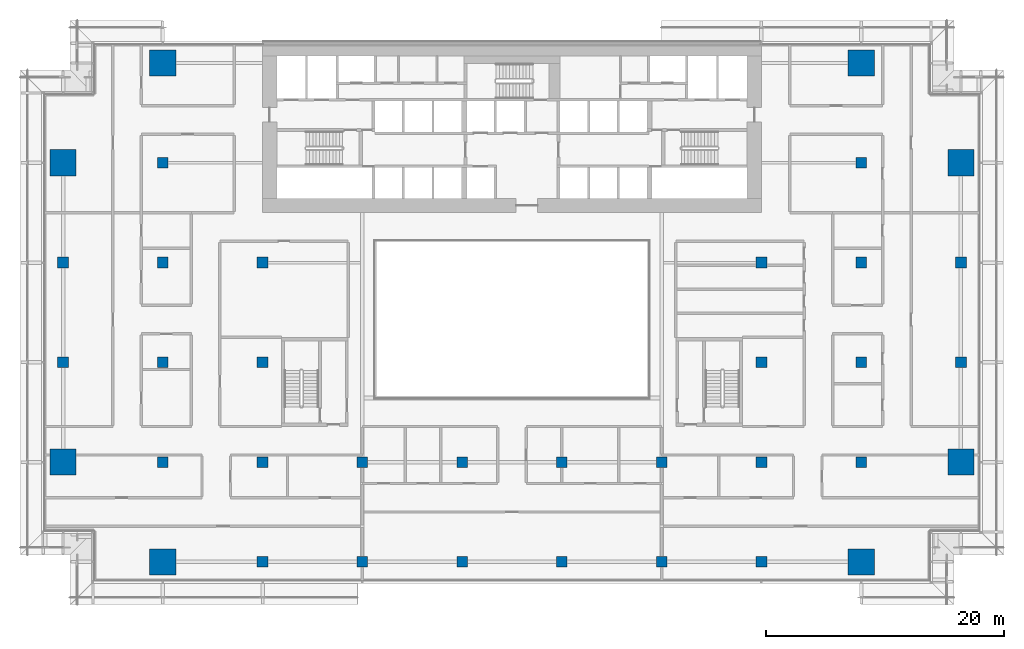
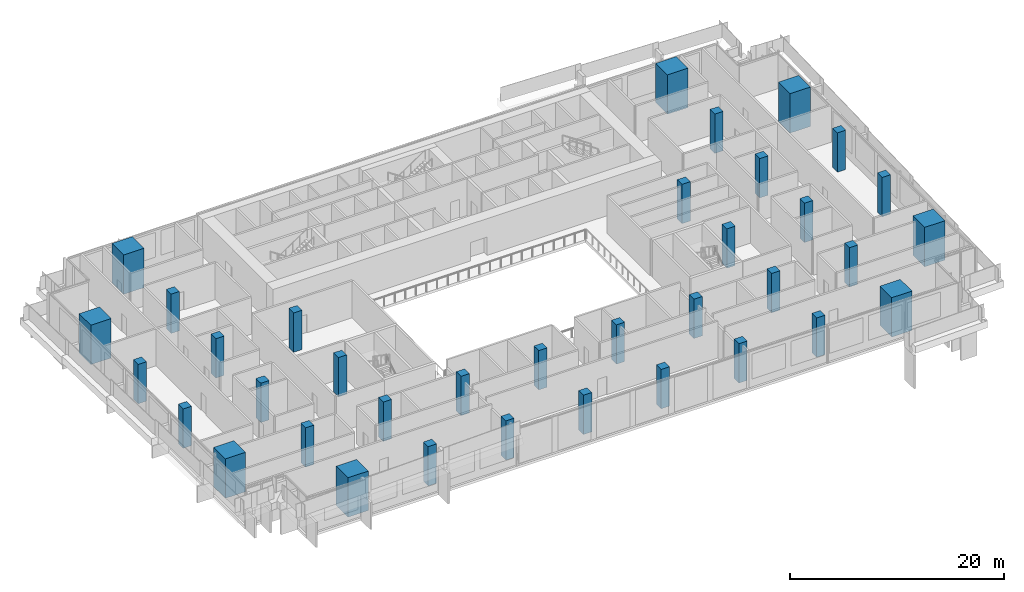
# One storey, part 1 of 23: 36 columns.
"""IFC4 building model written with IfcOpenShell, lengths in metres."""

from ifc_helpers import new_model, si_unit, direction, frame, origin, origin_2d, place, context, subcontext, project, spatial, rectangle, extrude, material, material_profile, profile_set, type_object, element, save


model = new_model("IFC4")

# Units and contexts
model_context = context("Model", 3, precision=1e-05, world=origin(), true_north=direction((0.0, 1.0)))
body_context = subcontext(model_context, "Body", "Model", "MODEL_VIEW")
ifc_project = project(units=[si_unit("LENGTHUNIT", "METRE"), si_unit("AREAUNIT", "SQUARE_METRE"), si_unit("VOLUMEUNIT", "CUBIC_METRE"), si_unit("PLANEANGLEUNIT", "RADIAN"), si_unit("MASSUNIT", "GRAM", prefix="KILO")], contexts=[model_context])

# Site, building, storey
site_placement = place(None, origin())
site = spatial("IfcSite", under=ifc_project, at=site_placement, CompositionType="ELEMENT")
building_placement = place(site_placement, origin())
building = spatial("IfcBuilding", under=site, at=building_placement, Name="Saffron Gate Tower", CompositionType="ELEMENT")
storey_placement = place(building_placement, frame((0.0, 0.0, 23.699951171875)))
storey = spatial("IfcBuildingStorey", under=building, at=storey_placement, Name="L04", CompositionType="ELEMENT", Elevation=23.699951171875)

# Columns
ifc_material_1 = material(Name="Concrete C60", Category="concrete")
ifc_material_profile_1 = material_profile(ifc_material_1, rectangle(XDim=0.89990234375, YDim=0.89990234375, at=origin_2d()))
ifc_profile_set_1 = profile_set([ifc_material_profile_1], Name="Concrete C60")
column_type_1 = type_object("IfcColumnType", Name="C6 RC 900x900 CONCRETE C60", PredefinedType="COLUMN", material=ifc_profile_set_1)
for number, where, z_axis, x_axis, name in (
    (1, (49.800048828125, 48.60009765625, 0.0), (0.0, 0.0, 1.0), (1.0, 0.0, 0.0), "C6 COLUMN X1-C"),
    (2, (49.800048828125, 57.0, 0.0), (0.0, 0.0, 1.0), (1.0, 0.0, 0.0), "C6 COLUMN X1-D"),
    (3, (58.199951171875, 40.199951171875, 0.0), (0.0, 0.0, 1.0), (1.0, 0.0, 0.0), "C6 COLUMN X2-B"),
    (4, (58.199951171875, 48.60009765625, 0.0), (0.0, 0.0, 1.0), (1.0, 0.0, 0.0), "C6 COLUMN X2-C"),
    (5, (58.199951171875, 57.0, 0.0), (0.0, 0.0, 1.0), (1.0, 0.0, 0.0), "C6 COLUMN X2-D"),
    (6, (58.199951171875, 65.39990234375, 0.0), (0.0, 0.0, 1.0), (1.0, 0.0, 0.0), "C6 COLUMN X2-E"),
    (7, (66.60009765625, 31.800048828125, 0.0), (0.0, 0.0, 1.0), (1.0, 0.0, 0.0), "C6 COLUMN X3-A"),
    (8, (66.60009765625, 40.199951171875, 0.0), (0.0, 0.0, 1.0), (1.0, 0.0, 0.0), "C6 COLUMN X3-B"),
    (9, (66.60009765625, 48.60009765625, 0.0), (0.0, 0.0, 1.0), (1.0, 0.0, 0.0), "C6 COLUMN X3-C"),
    (10, (66.60009765625, 57.0, 0.0), (0.0, 0.0, 1.0), (1.0, 0.0, 0.0), "C6 COLUMN X3-D"),
    (11, (75.0, 31.800048828125, 0.0), (0.0, 0.0, 1.0), (1.0, 0.0, 0.0), "C6 COLUMN X4-A"),
    (12, (75.0, 40.199951171875, 0.0), (0.0, 0.0, 1.0), (1.0, 0.0, 0.0), "C6 COLUMN X4-B"),
    (13, (83.39990234375, 31.800048828125, 0.0), (0.0, 0.0, 1.0), (1.0, 0.0, 0.0), "C6 COLUMN X5-A"),
    (14, (83.39990234375, 40.199951171875, 0.0), (0.0, 0.0, 1.0), (1.0, 0.0, 0.0), "C6 COLUMN X5-B"),
    (15, (91.800048828125, 31.800048828125, 0.0), (0.0, 0.0, 1.0), (1.0, 0.0, 0.0), "C6 COLUMN X6-A"),
    (16, (91.800048828125, 40.199951171875, 0.0), (0.0, 0.0, 1.0), (1.0, 0.0, 0.0), "C6 COLUMN X6-B"),
    (17, (100.199951171875, 31.800048828125, 0.0), (0.0, 0.0, 1.0), (1.0, 0.0, 0.0), "C6 COLUMN X7-A"),
    (18, (100.199951171875, 40.199951171875, 0.0), (0.0, 0.0, 1.0), (1.0, 0.0, 0.0), "C6 COLUMN X7-B"),
    (19, (108.60009765625, 31.800048828125, 0.0), (0.0, 0.0, 1.0), (1.0, 0.0, 0.0), "C6 COLUMN X8-A"),
    (20, (108.60009765625, 40.199951171875, 0.0), (0.0, 0.0, 1.0), (1.0, 0.0, 0.0), "C6 COLUMN X8-B"),
    (21, (108.60009765625, 48.60009765625, 0.0), (0.0, 0.0, 1.0), (1.0, 0.0, 0.0), "C6 COLUMN X8-C"),
    (22, (108.60009765625, 57.0, 0.0), (0.0, 0.0, 1.0), (1.0, 0.0, 0.0), "C6 COLUMN X8-D"),
    (23, (117.0, 40.199951171875, 0.0), (0.0, 0.0, 1.0), (1.0, 0.0, 0.0), "C6 COLUMN X9-B"),
    (24, (117.0, 48.60009765625, 0.0), (0.0, 0.0, 1.0), (1.0, 0.0, 0.0), "C6 COLUMN X9-C"),
    (25, (117.0, 57.0, 0.0), (0.0, 0.0, 1.0), (1.0, 0.0, 0.0), "C6 COLUMN X9-D"),
    (26, (117.0, 65.39990234375, 0.0), (0.0, 0.0, 1.0), (1.0, 0.0, 0.0), "C6 COLUMN X9-E"),
    (27, (125.39990234375, 48.60009765625, 0.0), (0.0, 0.0, 1.0), (1.0, 0.0, 0.0), "C6 COLUMN X10-C"),
    (28, (125.39990234375, 57.0, 0.0), (0.0, 0.0, 1.0), (1.0, 0.0, 0.0), "C6 COLUMN X10-D"),
):
    element("IfcColumn", number, at=place(storey_placement, frame(where, z_axis=z_axis, x_axis=x_axis)), inside=storey, type_object=column_type_1, Name=name, PredefinedType="COLUMN", context=body_context, shape_type="SweptSolid", body=[
        extrude(rectangle(XDim=0.89990234375, YDim=0.89990234375, at=origin_2d()), origin(), (0.0, 0.0, 1.0), 4.5),
    ])
ifc_material_2 = material(Name="Concrete C80", Category="concrete")
ifc_material_profile_2 = material_profile(ifc_material_2, rectangle(XDim=2.199951171875, YDim=2.199951171875, at=origin_2d()))
ifc_profile_set_2 = profile_set([ifc_material_profile_2], Name="Concrete C80")
column_type_2 = type_object("IfcColumnType", Name="MC4 RC 2200x2200 CONCRETE C80", PredefinedType="COLUMN", material=ifc_profile_set_2)
for number, where, z_axis, x_axis, name in (
    (29, (49.800048828125, 40.199951171875, 0.0), (0.0, 0.0, 1.0), (1.0, 0.0, 0.0), "MC4 MEGA COLUMN X1-B"),
    (30, (49.800048828125, 65.39990234375, 0.0), (0.0, 0.0, 1.0), (1.0, 0.0, 0.0), "MC4 MEGA COLUMN X1-E"),
    (31, (58.199951171875, 31.800048828125, 0.0), (0.0, 0.0, 1.0), (1.0, 0.0, 0.0), "MC4 MEGA COLUMN X2-A"),
    (32, (58.199951171875, 73.800048828125, 0.0), (0.0, 0.0, 1.0), (1.0, 0.0, 0.0), "MC4 MEGA COLUMN X2-F"),
    (33, (117.0, 31.800048828125, 0.0), (0.0, 0.0, 1.0), (1.0, 0.0, 0.0), "MC4 MEGA COLUMN X9-A"),
    (34, (117.0, 73.800048828125, 0.0), (0.0, 0.0, 1.0), (1.0, 0.0, 0.0), "MC4 MEGA COLUMN X9-F"),
    (35, (125.39990234375, 40.199951171875, 0.0), (0.0, 0.0, 1.0), (1.0, 0.0, 0.0), "MC4 MEGA COLUMN X10-B"),
    (36, (125.39990234375, 65.39990234375, 0.0), (0.0, 0.0, 1.0), (1.0, 0.0, 0.0), "MC4 MEGA COLUMN X10-E"),
):
    element("IfcColumn", number, at=place(storey_placement, frame(where, z_axis=z_axis, x_axis=x_axis)), inside=storey, type_object=column_type_2, Name=name, PredefinedType="COLUMN", context=body_context, shape_type="SweptSolid", body=[
        extrude(rectangle(XDim=2.199951171875, YDim=2.199951171875, at=origin_2d()), origin(), (0.0, 0.0, 1.0), 4.5),
    ])

save(model, "model.ifc")
